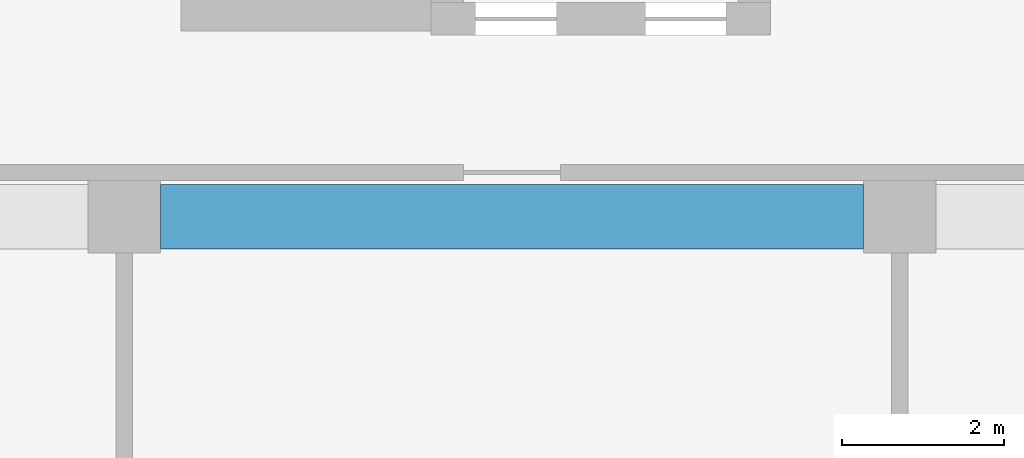
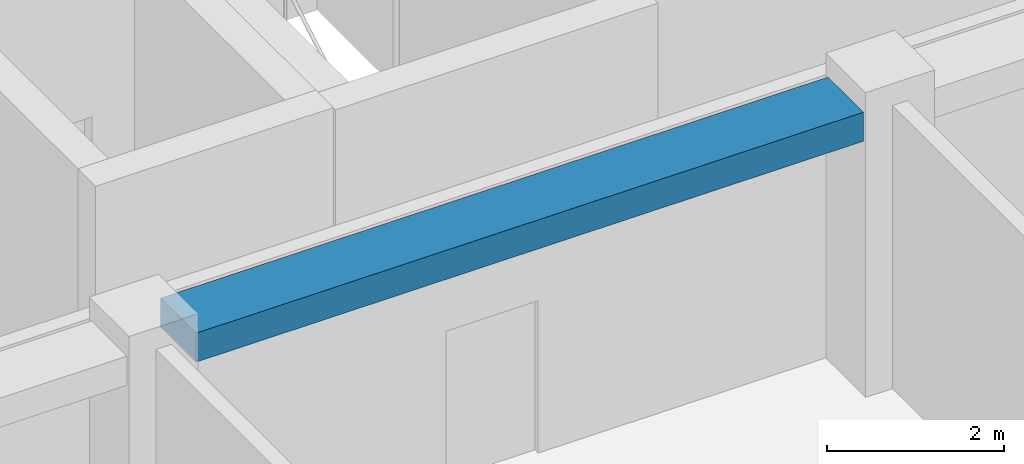
# One storey, part 5 of 36: 1 beam.
"""IFC4 building model written with IfcOpenShell, lengths in metres."""

from ifc_helpers import new_model, si_unit, direction, frame, origin, origin_2d, place, context, subcontext, project, spatial, rectangle, extrude, material, material_profile, profile_set, type_object, element, save


model = new_model("IFC4")

# Units and contexts
model_context = context("Model", 3, precision=1e-05, world=origin(), true_north=direction((0.0, 1.0)))
body_context = subcontext(model_context, "Body", "Model", "MODEL_VIEW")
ifc_project = project(units=[si_unit("LENGTHUNIT", "METRE"), si_unit("AREAUNIT", "SQUARE_METRE"), si_unit("VOLUMEUNIT", "CUBIC_METRE"), si_unit("PLANEANGLEUNIT", "RADIAN"), si_unit("MASSUNIT", "GRAM", prefix="KILO")], contexts=[model_context])

# Site, building, storey
site_placement = place(None, origin())
site = spatial("IfcSite", under=ifc_project, at=site_placement, CompositionType="ELEMENT")
building_placement = place(site_placement, origin())
building = spatial("IfcBuilding", under=site, at=building_placement, Name="Nzadi Deep Aquarium and Research Tower", CompositionType="ELEMENT")
storey_placement = place(building_placement, frame((0.0, 0.0, 36.10009765625)))
storey = spatial("IfcBuildingStorey", under=building, at=storey_placement, Name="L06", CompositionType="ELEMENT", Elevation=36.10009765625)

# Beam
ifc_material = material(Name="Concrete C35/45", Category="concrete")
ifc_material_profile = material_profile(ifc_material, rectangle(XDim=0.800048828125, YDim=0.39990234375, at=origin_2d()))
ifc_profile_set = profile_set([ifc_material_profile], Name="Concrete C35/45")
beam_type = type_object("IfcBeamType", Name="RC 800x400", PredefinedType="BEAM", material=ifc_profile_set)
beam_placement = place(storey_placement, frame((19.64990234375, 9.199951171875, 3.699951171875), z_axis=(1.0, 0.0, 0.0), x_axis=(0.0, 1.0, 0.0)))
element("IfcBeam", 1, at=beam_placement, inside=storey, type_object=beam_type, Name="B-Z1-L06-L2-3", PredefinedType="BEAM", context=body_context, shape_type="SweptSolid", body=[
    extrude(rectangle(XDim=0.800048828125, YDim=0.39990234375, at=origin_2d()), origin(), (0.0, 0.0, 1.0), 8.7001953125),
])

save(model, "model.ifc")
